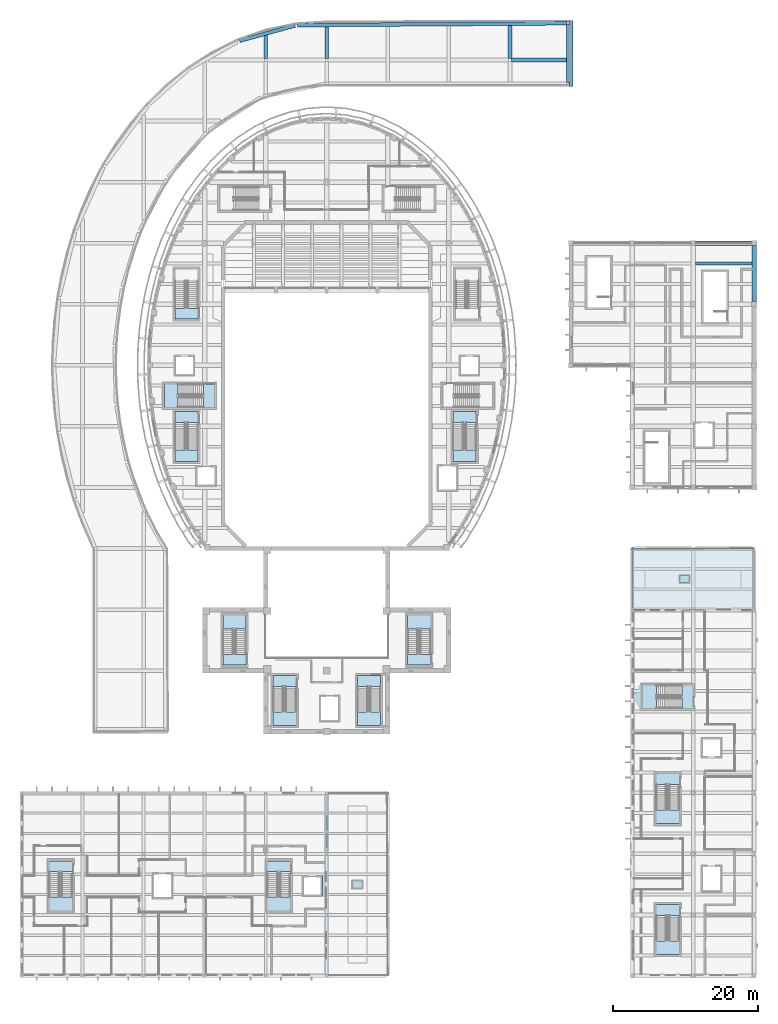
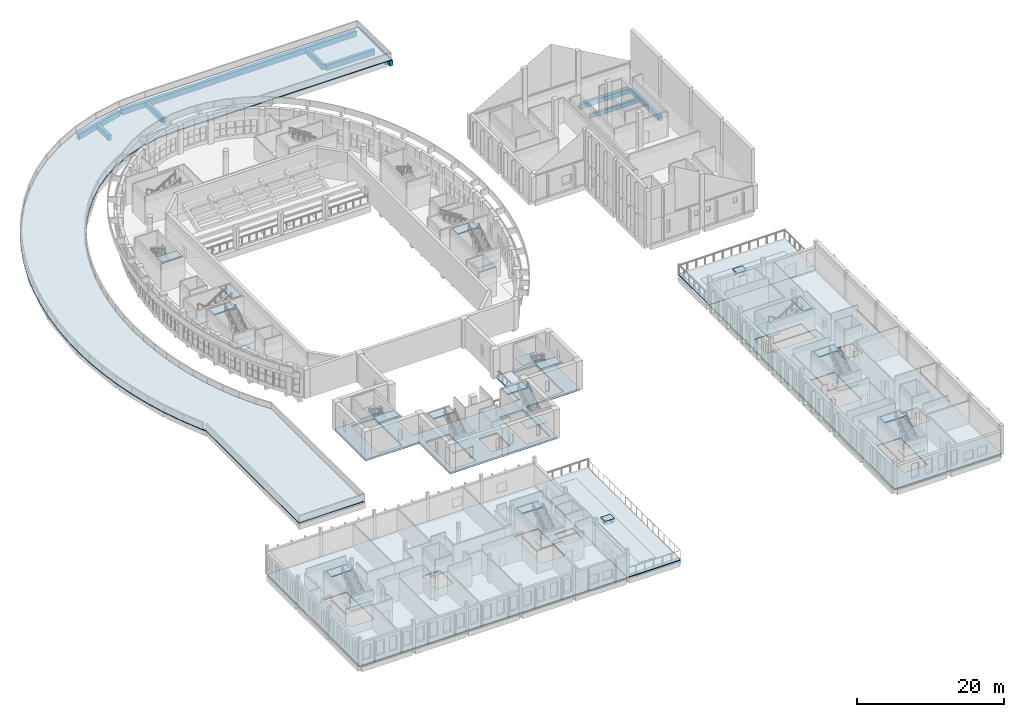
# One storey, part 6 of 79: 31 slabs, 11 beams, 2 plates, 2 openings, 13 elements without a shape of their own.
"""IFC4 building model written with IfcOpenShell, lengths in metres."""

from ifc_helpers import new_model, si_unit, direction, frame, origin, origin_2d, place, context, subcontext, project, spatial, polyline, rectangle, outline, extrude, material, layer, layer_set, material_profile, profile_set, type_object, element, fill, aggregate, save


model = new_model("IFC4")

# Units and contexts
model_context = context("Model", 3, precision=1e-05, world=origin(), true_north=direction((0.0, 1.0)))
body_context = subcontext(model_context, "Body", "Model", "MODEL_VIEW")
ifc_project = project(units=[si_unit("LENGTHUNIT", "METRE"), si_unit("AREAUNIT", "SQUARE_METRE"), si_unit("VOLUMEUNIT", "CUBIC_METRE"), si_unit("PLANEANGLEUNIT", "RADIAN"), si_unit("MASSUNIT", "GRAM", prefix="KILO")], contexts=[model_context])

# Site, building, storey
site_placement = place(None, origin())
site = spatial("IfcSite", under=ifc_project, at=site_placement, CompositionType="ELEMENT")
building_placement = place(site_placement, origin())
building = spatial("IfcBuilding", under=site, at=building_placement, Name="Larchfold Concert Hall", CompositionType="ELEMENT")
storey_placement = place(building_placement, frame((0.0, 0.0, 14.39990234375)))
storey = spatial("IfcBuildingStorey", under=building, at=storey_placement, Name="L03", CompositionType="ELEMENT", Elevation=14.39990234375)

# Beams
ifc_material_1 = material(Name="Concrete C35/45", Category="concrete")
ifc_material_profile_1 = material_profile(ifc_material_1, rectangle(XDim=0.39990234375, YDim=0.699951171875, at=origin_2d()))
ifc_profile_set_1 = profile_set([ifc_material_profile_1], Name="Concrete C35/45")
beam_type_1 = type_object("IfcBeamType", Name="Beam RC 400x700", PredefinedType="BEAM", material=ifc_profile_set_1)
beam_1_placement = place(storey_placement, frame((93.300048828125, 98.60009765625, -0.5498046875), z_axis=(1.0, 0.0, 0.0), x_axis=(0.0, 1.0, 0.0)))
element("IfcBeam", 1, at=beam_1_placement, inside=storey, type_object=beam_type_1, Name="Beam B1071", PredefinedType="BEAM", context=body_context, shape_type="SweptSolid", body=[
    extrude(rectangle(XDim=0.39990234375, YDim=0.699951171875, at=origin_2d()), origin(), (0.0, 0.0, 1.0), 7.800048828125),
])
ifc_material_2 = material(Name="Concrete C35/45", Category="concrete")
ifc_material_profile_2 = material_profile(ifc_material_2, rectangle(XDim=0.5, YDim=0.89990234375, at=origin_2d()))
ifc_profile_set_2 = profile_set([ifc_material_profile_2], Name="Concrete C35/45")
beam_type_2 = type_object("IfcBeamType", Name="Beam RC 500x900", PredefinedType="BEAM", material=ifc_profile_set_2)
beam_2_placement = place(storey_placement, frame((30.616455078125, 129.245849609375, -0.599853515625), z_axis=(0.963990976181, 0.265934950395, 0.0), x_axis=(-0.265934950395, 0.963990976181, 0.0)))
element("IfcBeam", 2, at=beam_2_placement, inside=storey, type_object=beam_type_2, Name="Beam B2017", PredefinedType="BEAM", context=body_context, shape_type="SweptSolid", body=[
    extrude(rectangle(XDim=0.5, YDim=0.89990234375, at=origin_2d()), origin(), (0.0, 0.0, 1.0), 7.885986328125),
])
beam_3_placement = place(storey_placement, frame((38.572021484375, 131.392333984375, -0.599853515625), z_axis=(0.999976126588, 0.006909866425, 0.0), x_axis=(-0.006909866425, 0.999976126588, 0.0)))
element("IfcBeam", 3, at=beam_3_placement, inside=storey, type_object=beam_type_2, Name="Beam B2018", PredefinedType="BEAM", context=body_context, shape_type="SweptSolid", body=[
    extrude(rectangle(XDim=0.5, YDim=0.89990234375, at=origin_2d()), origin(), (0.0, 0.0, 1.0), 37.098876953125),
])
beam_4_placement = place(storey_placement, frame((75.85009765625, 131.469970703125, -0.599853515625), z_axis=(0.0, -1.0, 0.0), x_axis=(1.0, 0.0, 0.0)))
element("IfcBeam", 4, at=beam_4_placement, inside=storey, type_object=beam_type_2, Name="Beam B2019", PredefinedType="BEAM", context=body_context, shape_type="SweptSolid", body=[
    extrude(rectangle(XDim=0.5, YDim=0.89990234375, at=origin_2d()), origin(), (0.0, 0.0, 1.0), 7.93994140625),
])
beam_5_placement = place(storey_placement, frame((34.199951171875, 126.800048828125, -0.599853515625), z_axis=(0.0, 1.0, 0.0), x_axis=(-1.0, 0.0, 0.0)))
element("IfcBeam", 5, at=beam_5_placement, inside=storey, type_object=beam_type_2, Name="Beam B2040", PredefinedType="BEAM", context=body_context, shape_type="SweptSolid", body=[
    extrude(rectangle(XDim=0.5, YDim=0.89990234375, at=origin_2d()), origin(), (0.0, 0.0, 1.0), 3.175048828125),
])
beam_6_placement = place(storey_placement, frame((42.60009765625, 126.800048828125, -0.599853515625), z_axis=(0.0, 1.0, 0.0), x_axis=(-1.0, 0.0, 0.0)))
element("IfcBeam", 6, at=beam_6_placement, inside=storey, type_object=beam_type_2, Name="Beam B2042", PredefinedType="BEAM", context=body_context, shape_type="SweptSolid", body=[
    extrude(rectangle(XDim=0.5, YDim=0.89990234375, at=origin_2d()), origin(), (0.0, 0.0, 1.0), 4.3701171875),
])
beam_7_placement = place(storey_placement, frame((67.800048828125, 126.800048828125, -0.599853515625), z_axis=(0.0, 1.0, 0.0), x_axis=(-1.0, 0.0, 0.0)))
element("IfcBeam", 7, at=beam_7_placement, inside=storey, type_object=beam_type_2, Name="Beam B2046", PredefinedType="BEAM", context=body_context, shape_type="SweptSolid", body=[
    extrude(rectangle(XDim=0.5, YDim=0.89990234375, at=origin_2d()), origin(), (0.0, 0.0, 1.0), 4.544189453125),
])
beam_8_placement = place(storey_placement, frame((76.199951171875, 122.97998046875, -0.599853515625), z_axis=(0.0, 1.0, 0.0), x_axis=(-1.0, 0.0, 0.0)))
element("IfcBeam", 8, at=beam_8_placement, inside=storey, type_object=beam_type_2, Name="Beam B2047", PredefinedType="BEAM", context=body_context, shape_type="SweptSolid", body=[
    extrude(rectangle(XDim=0.5, YDim=0.89990234375, at=origin_2d()), origin(), (0.0, 0.0, 1.0), 9.0400390625),
])
beam_9_placement = place(storey_placement, frame((68.0, 126.60009765625, -0.599853515625), z_axis=(1.0, 0.0, 0.0), x_axis=(0.0, 1.0, 0.0)))
element("IfcBeam", 9, at=beam_9_placement, inside=storey, type_object=beam_type_2, Name="Beam B2066", PredefinedType="BEAM", context=body_context, shape_type="SweptSolid", body=[
    extrude(rectangle(XDim=0.5, YDim=0.89990234375, at=origin_2d()), origin(), (0.0, 0.0, 1.0), 7.60009765625),
])
ifc_material_3 = material(Name="Concrete C35/45", Category="concrete")
ifc_material_profile_3 = material_profile(ifc_material_3, rectangle(XDim=0.60009765625, YDim=0.800048828125, at=origin_2d()))
ifc_profile_set_3 = profile_set([ifc_material_profile_3], Name="Concrete C35/45")
beam_type_3 = type_object("IfcBeamType", Name="Beam RC 600x800", PredefinedType="BEAM", material=ifc_profile_set_3)
for number, where, z_axis, x_axis, name in (
    (10, (101.39990234375, 93.35009765625, -0.599853515625), (0.0, 1.0, 0.0), (-1.0, 0.0, 0.0), "Beam B1033"),
    (11, (93.35009765625, 101.39990234375, -0.599853515625), (1.0, 0.0, 0.0), (0.0, 1.0, 0.0), "Beam B1047"),
):
    element("IfcBeam", number, at=place(storey_placement, frame(where, z_axis=z_axis, x_axis=x_axis)), inside=storey, type_object=beam_type_3, Name=name, PredefinedType="BEAM", context=body_context, shape_type="SweptSolid", body=[
        extrude(rectangle(XDim=0.60009765625, YDim=0.800048828125, at=origin_2d()), origin(), (0.0, 0.0, 1.0), 7.699951171875),
    ])

# Slab, opening, plate
ifc_material_4 = material(Name="Concrete C35/45", Category="concrete")
ifc_layer_1 = layer(ifc_material_4, 0.139892578125)
ifc_layer_set_1 = layer_set([ifc_layer_1], Name="Concrete C35/45")
slab_type_1 = type_object("IfcSlabType", Name="Roof slab 140 planted", PredefinedType="ROOF", material=ifc_layer_set_1)
slab_1_placement = place(storey_placement, frame((0.0, 0.0, -0.14013671875)))
slab_1 = element("IfcSlab", 12, at=slab_1_placement, inside=storey, type_object=slab_type_1, Name="Slab S0001", PredefinedType="ROOF", context=body_context, shape_type="SweptSolid", body=[
    extrude(outline(polyline([(51.0, 25.800048828125), (42.610107421875, 25.800048828125), (42.610107421875, 0.60009765625), (51.0, 0.60009765625), (51.0, 25.800048828125)])), origin(), (0.0, 0.0, 1.0), 0.14013671875),
])
opening_1_placement = place(storey_placement, frame((0.0, 0.0, -0.150146484375)))
opening_1 = element("IfcOpeningElement", 13, at=opening_1_placement, cuts=slab_1, Name="Opening RH03", PredefinedType="OPENING", context=body_context, shape_type="SweptSolid", body=[
    extrude(outline(polyline([(47.41015625, 12.750244140625), (47.41015625, 13.650146484375), (46.2099609375, 13.650146484375), (46.2099609375, 12.750244140625), (47.41015625, 12.750244140625)])), origin(), (0.0, 0.0, 1.0), 0.16015625),
])
ifc_material_5 = material(Name="Insulated steel hatch lid", Category="steel")
ifc_layer_2 = layer(ifc_material_5, 0.06005859375)
ifc_layer_set_2 = layer_set([ifc_layer_2], Name="Insulated steel hatch lid")
plate_type = type_object("IfcPlateType", Name="Roof hatch lid 60", PredefinedType="SHEET", material=ifc_layer_set_2)
plate_1_placement = place(storey_placement, frame((46.81005859375, 13.2001953125, 0.739990234375), z_axis=(0.0, 0.0, 1.0), x_axis=(1.0, 0.0, 0.0)))
plate_1 = element("IfcPlate", 14, at=plate_1_placement, inside=storey, type_object=plate_type, Name="Roof hatch lid RH03", PredefinedType="SHEET", context=body_context, shape_type="SweptSolid", body=[
    extrude(rectangle(XDim=1.5, YDim=1.199951171875, at=origin_2d()), origin(), (0.0, 0.0, 1.0), 0.06005859375),
])
fill(opening_1, plate_1)

slab_2_placement = place(storey_placement, frame((0.0, 0.0, -0.14013671875)))
slab_2 = element("IfcSlab", 15, at=slab_2_placement, inside=storey, type_object=slab_type_1, Name="Slab S0003", PredefinedType="ROOF", context=body_context, shape_type="SweptSolid", body=[
    extrude(outline(polyline([(84.60009765625, 59.39990234375), (84.60009765625, 51.010009765625), (101.39990234375, 51.010009765625), (101.39990234375, 59.39990234375), (84.60009765625, 59.39990234375)])), origin(), (0.0, 0.0, 1.0), 0.14013671875),
])
opening_2_placement = place(storey_placement, frame((0.0, 0.0, -0.150146484375)))
opening_2 = element("IfcOpeningElement", 16, at=opening_2_placement, cuts=slab_2, Name="Opening RH04", PredefinedType="OPENING", context=body_context, shape_type="SweptSolid", body=[
    extrude(outline(polyline([(92.400146484375, 54.760009765625), (92.400146484375, 55.659912109375), (91.199951171875, 55.659912109375), (91.199951171875, 54.760009765625), (92.400146484375, 54.760009765625)])), origin(), (0.0, 0.0, 1.0), 0.16015625),
])
plate_2_placement = place(storey_placement, frame((91.800048828125, 55.2099609375, 0.739990234375), z_axis=(0.0, 0.0, 1.0), x_axis=(1.0, 0.0, 0.0)))
plate_2 = element("IfcPlate", 17, at=plate_2_placement, inside=storey, type_object=plate_type, Name="Roof hatch lid RH04", PredefinedType="SHEET", context=body_context, shape_type="SweptSolid", body=[
    extrude(rectangle(XDim=1.5, YDim=1.199951171875, at=origin_2d()), origin(), (0.0, 0.0, 1.0), 0.06005859375),
])
fill(opening_2, plate_2)

# Slabs
ifc_material_6 = material(Name="Concrete C35/45", Category="concrete")
ifc_layer_3 = layer(ifc_material_6, 0.14990234375)
ifc_layer_set_3 = layer_set([ifc_layer_3], Name="Concrete C35/45")
slab_type_2 = type_object("IfcSlabType", Name="Roof slab 150 winter garden roof", PredefinedType="ROOF", material=ifc_layer_set_3)
slab_3_placement = place(storey_placement, frame((0.0, 0.0, -0.14990234375)))
element("IfcSlab", 18, at=slab_3_placement, inside=storey, type_object=slab_type_2, Name="Slab S0008", PredefinedType="ROOF", context=body_context, shape_type="SweptSolid", body=[
    extrude(outline(polyline([(20.748779296875, 59.39990234375), (19.5185546875, 61.3994140625), (18.2529296875, 63.821044921875), (17.15625, 66.303955078125), (16.22021484375, 68.8369140625), (15.43896484375, 71.40966796875), (14.806884765625, 74.01318359375), (14.319580078125, 76.64013671875), (13.973876953125, 79.2841796875), (13.767333984375, 81.939453125), (13.69873046875, 84.60009765625), (13.767333984375, 87.2607421875), (13.973876953125, 89.916015625), (14.319580078125, 92.56005859375), (14.806884765625, 95.18701171875), (15.43896484375, 97.79052734375), (16.22021484375, 100.36328125), (17.15625, 102.896240234375), (18.2529296875, 105.379150390625), (19.5185546875, 107.80078125), (20.961669921875, 110.145751953125), (22.591552734375, 112.39599609375), (24.41748046875, 114.52783203125), (26.4482421875, 116.513427734375), (28.689697265625, 118.3173828125), (31.140625, 119.8974609375), (33.79150390625, 121.204833984375), (36.61669921875, 122.18896484375), (39.57275390625, 122.802001953125), (42.60009765625, 123.010498046875), (76.199951171875, 123.0), (76.199951171875, 132.0), (42.60009765625, 132.0), (38.343994140625, 131.738525390625), (34.212890625, 130.8818359375), (30.3076171875, 129.521728515625), (26.697509765625, 127.740966796875), (23.41552734375, 125.62548828125), (20.466796875, 123.252197265625), (17.841064453125, 120.6845703125), (15.517822265625, 117.972412109375), (13.47412109375, 115.151123046875), (11.688232421875, 112.2490234375), (10.139892578125, 109.285888671875), (8.810791015625, 106.277587890625), (7.685791015625, 103.23291015625), (6.753173828125, 100.161865234375), (6.002685546875, 97.07080078125), (5.4267578125, 93.96533203125), (5.01904296875, 90.84912109375), (4.7763671875, 87.725830078125), (4.695556640625, 84.60009765625), (4.7763671875, 81.474365234375), (5.01904296875, 78.35107421875), (5.4267578125, 75.23486328125), (6.002685546875, 72.12939453125), (6.753173828125, 69.038330078125), (7.685791015625, 65.96728515625), (8.810791015625, 62.922607421875), (10.139892578125, 59.914306640625), (10.408447265625, 59.39990234375), (10.408447265625, 34.199951171875), (20.748779296875, 34.199951171875), (20.748779296875, 59.39990234375)])), origin(), (0.0, 0.0, 1.0), 0.14990234375),
])
ifc_material_7 = material(Name="Concrete C35/45", Category="concrete")
ifc_layer_4 = layer(ifc_material_7, 0.159912109375)
ifc_layer_set_4 = layer_set([ifc_layer_4], Name="Concrete C35/45")
slab_type_3 = type_object("IfcSlabType", Name="Slab 160", PredefinedType="FLOOR", material=ifc_layer_set_4)
slab_4_placement = place(storey_placement, frame((0.0, 0.0, -0.159912109375)))
element("IfcSlab", 19, at=slab_4_placement, inside=storey, type_object=slab_type_3, Name="Slab S0002", PredefinedType="FLOOR", context=body_context, shape_type="SweptSolid", body=[
    extrude(outline(polyline([(0.60009765625, 25.800048828125), (0.60009765625, 0.60009765625), (42.610107421875, 0.60009765625), (42.610107421875, 25.800048828125), (0.60009765625, 25.800048828125)]), holes=[polyline([(7.85009765625, 9.300048828125), (4.14990234375, 9.300048828125), (4.14990234375, 16.699951171875), (7.85009765625, 16.699951171875), (7.85009765625, 9.300048828125)]), polyline([(21.39990234375, 11.199951171875), (18.60009765625, 11.199951171875), (18.60009765625, 14.800048828125), (21.39990234375, 14.800048828125), (21.39990234375, 11.199951171875)]), polyline([(37.85009765625, 9.300048828125), (34.14990234375, 9.300048828125), (34.14990234375, 16.699951171875), (37.85009765625, 16.699951171875), (37.85009765625, 9.300048828125)]), polyline([(42.0, 11.60009765625), (39.199951171875, 11.60009765625), (39.199951171875, 14.39990234375), (42.0, 14.39990234375), (42.0, 11.60009765625)])]), origin(), (0.0, 0.0, 1.0), 0.159912109375),
])
slab_5_placement = place(storey_placement, frame((0.0, 0.0, -0.159912109375)))
element("IfcSlab", 20, at=slab_5_placement, inside=storey, type_object=slab_type_3, Name="Slab S0004", PredefinedType="FLOOR", context=body_context, shape_type="SweptSolid", body=[
    extrude(outline(polyline([(84.60009765625, 51.010009765625), (84.60009765625, 0.60009765625), (101.39990234375, 0.60009765625), (101.39990234375, 51.010009765625), (84.60009765625, 51.010009765625)]), holes=[polyline([(91.35009765625, 3.300048828125), (87.64990234375, 3.300048828125), (87.64990234375, 10.699951171875), (91.35009765625, 10.699951171875), (91.35009765625, 3.300048828125)]), polyline([(96.89990234375, 12.199951171875), (94.10009765625, 12.199951171875), (94.10009765625, 15.800048828125), (96.89990234375, 15.800048828125), (96.89990234375, 12.199951171875)]), polyline([(91.35009765625, 21.300048828125), (87.64990234375, 21.300048828125), (87.64990234375, 28.699951171875), (91.35009765625, 28.699951171875), (91.35009765625, 21.300048828125)]), polyline([(94.10009765625, 30.60009765625), (94.10009765625, 33.39990234375), (96.89990234375, 33.39990234375), (96.89990234375, 30.60009765625), (94.10009765625, 30.60009765625)]), polyline([(85.800048828125, 37.14990234375), (85.800048828125, 40.85009765625), (93.199951171875, 40.85009765625), (93.199951171875, 37.14990234375), (85.800048828125, 37.14990234375)])]), origin(), (0.0, 0.0, 1.0), 0.159912109375),
])
ifc_material_8 = material(Name="Concrete C35/45", Category="concrete")
ifc_layer_5 = layer(ifc_material_8, 0.280029296875)
ifc_layer_set_5 = layer_set([ifc_layer_5], Name="Concrete C35/45")
slab_type_4 = type_object("IfcSlabType", Name="Slab 280 flat plate", PredefinedType="FLOOR", material=ifc_layer_set_5)
slab_6_placement = place(storey_placement, frame((0.0, 0.0, -0.280029296875)))
element("IfcSlab", 21, at=slab_6_placement, inside=storey, type_object=slab_type_4, Name="Slab S0006", PredefinedType="FLOOR", context=body_context, shape_type="SweptSolid", body=[
    extrude(outline(polyline([(59.39990234375, 51.0), (51.0, 51.0), (51.0, 44.39990234375), (34.199951171875, 44.39990234375), (34.199951171875, 59.39990234375), (34.199951171875, 51.0), (25.800048828125, 51.0), (25.800048828125, 42.60009765625), (34.199951171875, 42.60009765625), (34.199951171875, 34.199951171875), (51.0, 34.199951171875), (51.0, 42.60009765625), (59.39990234375, 42.60009765625), (59.39990234375, 51.0)]), holes=[polyline([(41.60009765625, 35.60009765625), (41.60009765625, 39.199951171875), (44.39990234375, 39.199951171875), (44.39990234375, 35.60009765625), (41.60009765625, 35.60009765625)]), polyline([(34.949951171875, 42.199951171875), (38.64990234375, 42.199951171875), (38.64990234375, 34.800048828125), (34.949951171875, 34.800048828125), (34.949951171875, 42.199951171875)]), polyline([(46.550048828125, 42.199951171875), (50.25, 42.199951171875), (50.25, 34.800048828125), (46.550048828125, 34.800048828125), (46.550048828125, 42.199951171875)]), polyline([(28.050048828125, 50.5), (31.75, 50.5), (31.75, 43.10009765625), (28.050048828125, 43.10009765625), (28.050048828125, 50.5)]), polyline([(53.449951171875, 50.5), (57.14990234375, 50.5), (57.14990234375, 43.10009765625), (53.449951171875, 43.10009765625), (53.449951171875, 50.5)])]), origin(), (0.0, 0.0, 1.0), 0.280029296875),
])

# Stair, slab
ifc_material_9 = material(Name="Concrete C35/45", Category="concrete")
stair_type = type_object("IfcStairType", Name="Stair RC half-turn enclosed", PredefinedType="HALF_TURN_STAIR", material=ifc_material_9)
stair_1_placement = place(storey_placement, origin())
stair_1 = element("IfcStair", 22, at=stair_1_placement, inside=storey, type_object=stair_type, Name="Stair DS4", PredefinedType="HALF_TURN_STAIR")
ifc_material_10 = material(Name="Concrete C35/45", Category="concrete")
ifc_layer_6 = layer(ifc_material_10, 0.199951171875)
ifc_layer_set_6 = layer_set([ifc_layer_6], Name="Concrete C35/45")
slab_type_5 = type_object("IfcSlabType", Name="Stair landing RC 200", PredefinedType="LANDING", material=ifc_layer_set_6)
slab_7_placement = place(storey_placement, frame((0.0, 0.0, 4.60009765625)))
slab_7 = element("IfcSlab", 23, at=slab_7_placement, type_object=slab_type_5, Name="ST04 landing 2", PredefinedType="LANDING", context=body_context, shape_type="SweptSolid", body=[
    extrude(outline(polyline([(24.89990234375, 90.949951171875), (24.89990234375, 92.449951171875), (21.699951171875, 92.449951171875), (21.699951171875, 90.949951171875), (24.89990234375, 90.949951171875)])), origin(), (0.0, 0.0, 1.0), 0.199951171875),
])
aggregate(stair_1, [slab_7])

# Stair, slabs
stair_2_placement = place(storey_placement, origin())
stair_2 = element("IfcStair", 24, at=stair_2_placement, inside=storey, type_object=stair_type, Name="Stair DS5", PredefinedType="HALF_TURN_STAIR")
slab_8_placement = place(storey_placement, frame((0.0, 0.0, 2.2001953125)))
slab_8 = element("IfcSlab", 25, at=slab_8_placement, type_object=slab_type_5, Name="ST05 landing 1", PredefinedType="LANDING", context=body_context, shape_type="SweptSolid", body=[
    extrude(outline(polyline([(21.699951171875, 72.969970703125), (21.699951171875, 71.35009765625), (24.89990234375, 71.35009765625), (24.89990234375, 72.969970703125), (21.699951171875, 72.969970703125)])), origin(), (0.0, 0.0, 1.0), 0.199951171875),
])
slab_9_placement = place(storey_placement, frame((0.0, 0.0, 4.60009765625)))
slab_9 = element("IfcSlab", 26, at=slab_9_placement, type_object=slab_type_5, Name="ST05 landing 2", PredefinedType="LANDING", context=body_context, shape_type="SweptSolid", body=[
    extrude(outline(polyline([(21.699951171875, 78.25), (21.699951171875, 76.75), (24.89990234375, 76.75), (24.89990234375, 78.25), (21.699951171875, 78.25)])), origin(), (0.0, 0.0, 1.0), 0.199951171875),
])
aggregate(stair_2, [slab_8, slab_9])

stair_3_placement = place(storey_placement, origin())
stair_3 = element("IfcStair", 27, at=stair_3_placement, inside=storey, type_object=stair_type, Name="Stair DS6", PredefinedType="HALF_TURN_STAIR")
slab_10_placement = place(storey_placement, frame((0.0, 0.0, 2.2001953125)))
slab_10 = element("IfcSlab", 28, at=slab_10_placement, type_object=slab_type_5, Name="ST06 landing 1", PredefinedType="LANDING", context=body_context, shape_type="SweptSolid", body=[
    extrude(outline(polyline([(59.949951171875, 72.969970703125), (59.949951171875, 71.35009765625), (63.14990234375, 71.35009765625), (63.14990234375, 72.969970703125), (59.949951171875, 72.969970703125)])), origin(), (0.0, 0.0, 1.0), 0.199951171875),
])
slab_11_placement = place(storey_placement, frame((0.0, 0.0, 4.60009765625)))
slab_11 = element("IfcSlab", 29, at=slab_11_placement, type_object=slab_type_5, Name="ST06 landing 2", PredefinedType="LANDING", context=body_context, shape_type="SweptSolid", body=[
    extrude(outline(polyline([(59.949951171875, 78.25), (59.949951171875, 76.75), (63.14990234375, 76.75), (63.14990234375, 78.25), (59.949951171875, 78.25)])), origin(), (0.0, 0.0, 1.0), 0.199951171875),
])
aggregate(stair_3, [slab_10, slab_11])

stair_4_placement = place(storey_placement, origin())
stair_4 = element("IfcStair", 30, at=stair_4_placement, inside=storey, type_object=stair_type, Name="Stair DS7", PredefinedType="HALF_TURN_STAIR")
slab_12_placement = place(storey_placement, frame((0.0, 0.0, 2.2001953125)))
slab_12 = element("IfcSlab", 31, at=slab_12_placement, type_object=slab_type_5, Name="ST07 landing 1", PredefinedType="LANDING", context=body_context, shape_type="SweptSolid", body=[
    extrude(outline(polyline([(22.139892578125, 82.0), (20.25, 82.0), (20.25, 78.800048828125), (22.139892578125, 78.800048828125), (22.139892578125, 82.0)])), origin(), (0.0, 0.0, 1.0), 0.199951171875),
])
slab_13_placement = place(storey_placement, frame((0.0, 0.0, 4.60009765625)))
slab_13 = element("IfcSlab", 32, at=slab_13_placement, type_object=slab_type_5, Name="ST07 landing 2", PredefinedType="LANDING", context=body_context, shape_type="SweptSolid", body=[
    extrude(outline(polyline([(27.14990234375, 82.0), (25.64990234375, 82.0), (25.64990234375, 78.800048828125), (27.14990234375, 78.800048828125), (27.14990234375, 82.0)])), origin(), (0.0, 0.0, 1.0), 0.199951171875),
])
aggregate(stair_4, [slab_12, slab_13])

stair_5_placement = place(storey_placement, origin())
stair_5 = element("IfcStair", 33, at=stair_5_placement, inside=storey, type_object=stair_type, Name="Stair SH1", PredefinedType="HALF_TURN_STAIR")
slab_14_placement = place(storey_placement, frame((0.0, 0.0, 2.2001953125)))
slab_14 = element("IfcSlab", 34, at=slab_14_placement, type_object=slab_type_5, Name="ST09 landing 1", PredefinedType="LANDING", context=body_context, shape_type="SweptSolid", body=[
    extrude(outline(polyline([(31.5, 48.360107421875), (31.5, 50.25), (28.300048828125, 50.25), (28.300048828125, 48.360107421875), (31.5, 48.360107421875)])), origin(), (0.0, 0.0, 1.0), 0.199951171875),
])
slab_15_placement = place(storey_placement, frame((0.0, 0.0, 4.60009765625)))
slab_15 = element("IfcSlab", 35, at=slab_15_placement, type_object=slab_type_5, Name="ST09 landing 2", PredefinedType="LANDING", context=body_context, shape_type="SweptSolid", body=[
    extrude(outline(polyline([(31.5, 43.35009765625), (31.5, 44.85009765625), (28.300048828125, 44.85009765625), (28.300048828125, 43.35009765625), (31.5, 43.35009765625)])), origin(), (0.0, 0.0, 1.0), 0.199951171875),
])
aggregate(stair_5, [slab_14, slab_15])

stair_6_placement = place(storey_placement, origin())
stair_6 = element("IfcStair", 36, at=stair_6_placement, inside=storey, type_object=stair_type, Name="Stair SH2", PredefinedType="HALF_TURN_STAIR")
slab_16_placement = place(storey_placement, frame((0.0, 0.0, 2.2001953125)))
slab_16 = element("IfcSlab", 37, at=slab_16_placement, type_object=slab_type_5, Name="ST10 landing 1", PredefinedType="LANDING", context=body_context, shape_type="SweptSolid", body=[
    extrude(outline(polyline([(56.89990234375, 48.360107421875), (56.89990234375, 50.25), (53.699951171875, 50.25), (53.699951171875, 48.360107421875), (56.89990234375, 48.360107421875)])), origin(), (0.0, 0.0, 1.0), 0.199951171875),
])
slab_17_placement = place(storey_placement, frame((0.0, 0.0, 4.60009765625)))
slab_17 = element("IfcSlab", 38, at=slab_17_placement, type_object=slab_type_5, Name="ST10 landing 2", PredefinedType="LANDING", context=body_context, shape_type="SweptSolid", body=[
    extrude(outline(polyline([(56.89990234375, 43.35009765625), (56.89990234375, 44.85009765625), (53.699951171875, 44.85009765625), (53.699951171875, 43.35009765625), (56.89990234375, 43.35009765625)])), origin(), (0.0, 0.0, 1.0), 0.199951171875),
])
aggregate(stair_6, [slab_16, slab_17])

stair_7_placement = place(storey_placement, origin())
stair_7 = element("IfcStair", 39, at=stair_7_placement, inside=storey, type_object=stair_type, Name="Stair SH3", PredefinedType="HALF_TURN_STAIR")
slab_18_placement = place(storey_placement, frame((0.0, 0.0, 2.2001953125)))
slab_18 = element("IfcSlab", 40, at=slab_18_placement, type_object=slab_type_5, Name="ST11 landing 1", PredefinedType="LANDING", context=body_context, shape_type="SweptSolid", body=[
    extrude(outline(polyline([(35.199951171875, 36.93994140625), (35.199951171875, 35.050048828125), (38.39990234375, 35.050048828125), (38.39990234375, 36.93994140625), (35.199951171875, 36.93994140625)])), origin(), (0.0, 0.0, 1.0), 0.199951171875),
])
slab_19_placement = place(storey_placement, frame((0.0, 0.0, 4.60009765625)))
slab_19 = element("IfcSlab", 41, at=slab_19_placement, type_object=slab_type_5, Name="ST11 landing 2", PredefinedType="LANDING", context=body_context, shape_type="SweptSolid", body=[
    extrude(outline(polyline([(35.199951171875, 41.949951171875), (35.199951171875, 40.449951171875), (38.39990234375, 40.449951171875), (38.39990234375, 41.949951171875), (35.199951171875, 41.949951171875)])), origin(), (0.0, 0.0, 1.0), 0.199951171875),
])
aggregate(stair_7, [slab_18, slab_19])

stair_8_placement = place(storey_placement, origin())
stair_8 = element("IfcStair", 42, at=stair_8_placement, inside=storey, type_object=stair_type, Name="Stair SH4", PredefinedType="HALF_TURN_STAIR")
slab_20_placement = place(storey_placement, frame((0.0, 0.0, 2.2001953125)))
slab_20 = element("IfcSlab", 43, at=slab_20_placement, type_object=slab_type_5, Name="ST12 landing 1", PredefinedType="LANDING", context=body_context, shape_type="SweptSolid", body=[
    extrude(outline(polyline([(46.800048828125, 36.93994140625), (46.800048828125, 35.050048828125), (50.0, 35.050048828125), (50.0, 36.93994140625), (46.800048828125, 36.93994140625)])), origin(), (0.0, 0.0, 1.0), 0.199951171875),
])
slab_21_placement = place(storey_placement, frame((0.0, 0.0, 4.60009765625)))
slab_21 = element("IfcSlab", 44, at=slab_21_placement, type_object=slab_type_5, Name="ST12 landing 2", PredefinedType="LANDING", context=body_context, shape_type="SweptSolid", body=[
    extrude(outline(polyline([(46.800048828125, 41.949951171875), (46.800048828125, 40.449951171875), (50.0, 40.449951171875), (50.0, 41.949951171875), (46.800048828125, 41.949951171875)])), origin(), (0.0, 0.0, 1.0), 0.199951171875),
])
aggregate(stair_8, [slab_20, slab_21])

stair_9_placement = place(storey_placement, origin())
stair_9 = element("IfcStair", 45, at=stair_9_placement, inside=storey, type_object=stair_type, Name="Stair AW1", PredefinedType="HALF_TURN_STAIR")
slab_22_placement = place(storey_placement, frame((0.0, 0.0, 2.2001953125)))
slab_22 = element("IfcSlab", 46, at=slab_22_placement, type_object=slab_type_5, Name="ST13 landing 1", PredefinedType="LANDING", context=body_context, shape_type="SweptSolid", body=[
    extrude(outline(polyline([(87.89990234375, 5.43994140625), (87.89990234375, 3.550048828125), (91.099853515625, 3.550048828125), (91.099853515625, 5.43994140625), (87.89990234375, 5.43994140625)])), origin(), (0.0, 0.0, 1.0), 0.199951171875),
])
slab_23_placement = place(storey_placement, frame((0.0, 0.0, 4.60009765625)))
slab_23 = element("IfcSlab", 47, at=slab_23_placement, type_object=slab_type_5, Name="ST13 landing 2", PredefinedType="LANDING", context=body_context, shape_type="SweptSolid", body=[
    extrude(outline(polyline([(87.89990234375, 10.449951171875), (87.89990234375, 8.949951171875), (91.10009765625, 8.949951171875), (91.10009765625, 10.449951171875), (87.89990234375, 10.449951171875)])), origin(), (0.0, 0.0, 1.0), 0.199951171875),
])
aggregate(stair_9, [slab_22, slab_23])

stair_10_placement = place(storey_placement, origin())
stair_10 = element("IfcStair", 48, at=stair_10_placement, inside=storey, type_object=stair_type, Name="Stair AW2", PredefinedType="HALF_TURN_STAIR")
slab_24_placement = place(storey_placement, frame((0.0, 0.0, 2.2001953125)))
slab_24 = element("IfcSlab", 49, at=slab_24_placement, type_object=slab_type_5, Name="ST14 landing 1", PredefinedType="LANDING", context=body_context, shape_type="SweptSolid", body=[
    extrude(outline(polyline([(87.89990234375, 23.43994140625), (87.89990234375, 21.550048828125), (91.099853515625, 21.550048828125), (91.099853515625, 23.43994140625), (87.89990234375, 23.43994140625)])), origin(), (0.0, 0.0, 1.0), 0.199951171875),
])
slab_25_placement = place(storey_placement, frame((0.0, 0.0, 4.60009765625)))
slab_25 = element("IfcSlab", 50, at=slab_25_placement, type_object=slab_type_5, Name="ST14 landing 2", PredefinedType="LANDING", context=body_context, shape_type="SweptSolid", body=[
    extrude(outline(polyline([(87.89990234375, 28.449951171875), (87.89990234375, 26.949951171875), (91.10009765625, 26.949951171875), (91.10009765625, 28.449951171875), (87.89990234375, 28.449951171875)])), origin(), (0.0, 0.0, 1.0), 0.199951171875),
])
aggregate(stair_10, [slab_24, slab_25])

stair_11_placement = place(storey_placement, origin())
stair_11 = element("IfcStair", 51, at=stair_11_placement, inside=storey, type_object=stair_type, Name="Stair AW3", PredefinedType="HALF_TURN_STAIR")
slab_26_placement = place(storey_placement, frame((0.0, 0.0, 2.2001953125)))
slab_26 = element("IfcSlab", 52, at=slab_26_placement, type_object=slab_type_5, Name="ST15 landing 1", PredefinedType="LANDING", context=body_context, shape_type="SweptSolid", body=[
    extrude(outline(polyline([(87.93994140625, 40.60009765625), (86.050048828125, 40.60009765625), (86.050048828125, 37.400146484375), (87.93994140625, 37.400146484375), (87.93994140625, 40.60009765625)])), origin(), (0.0, 0.0, 1.0), 0.199951171875),
])
slab_27_placement = place(storey_placement, frame((0.0, 0.0, 4.60009765625)))
slab_27 = element("IfcSlab", 53, at=slab_27_placement, type_object=slab_type_5, Name="ST15 landing 2", PredefinedType="LANDING", context=body_context, shape_type="SweptSolid", body=[
    extrude(outline(polyline([(92.949951171875, 40.60009765625), (91.449951171875, 40.60009765625), (91.449951171875, 37.39990234375), (92.949951171875, 37.39990234375), (92.949951171875, 40.60009765625)])), origin(), (0.0, 0.0, 1.0), 0.199951171875),
])
aggregate(stair_11, [slab_26, slab_27])

stair_12_placement = place(storey_placement, origin())
stair_12 = element("IfcStair", 54, at=stair_12_placement, inside=storey, type_object=stair_type, Name="Stair SW1", PredefinedType="HALF_TURN_STAIR")
slab_28_placement = place(storey_placement, frame((0.0, 0.0, 2.2001953125)))
slab_28 = element("IfcSlab", 55, at=slab_28_placement, type_object=slab_type_5, Name="ST21 landing 1", PredefinedType="LANDING", context=body_context, shape_type="SweptSolid", body=[
    extrude(outline(polyline([(4.39990234375, 11.43994140625), (4.39990234375, 9.550048828125), (7.599853515625, 9.550048828125), (7.599853515625, 11.43994140625), (4.39990234375, 11.43994140625)])), origin(), (0.0, 0.0, 1.0), 0.199951171875),
])
slab_29_placement = place(storey_placement, frame((0.0, 0.0, 4.60009765625)))
slab_29 = element("IfcSlab", 56, at=slab_29_placement, type_object=slab_type_5, Name="ST21 landing 2", PredefinedType="LANDING", context=body_context, shape_type="SweptSolid", body=[
    extrude(outline(polyline([(4.39990234375, 16.449951171875), (4.39990234375, 14.949951171875), (7.60009765625, 14.949951171875), (7.60009765625, 16.449951171875), (4.39990234375, 16.449951171875)])), origin(), (0.0, 0.0, 1.0), 0.199951171875),
])
aggregate(stair_12, [slab_28, slab_29])

stair_13_placement = place(storey_placement, origin())
stair_13 = element("IfcStair", 57, at=stair_13_placement, inside=storey, type_object=stair_type, Name="Stair SW2", PredefinedType="HALF_TURN_STAIR")
slab_30_placement = place(storey_placement, frame((0.0, 0.0, 2.2001953125)))
slab_30 = element("IfcSlab", 58, at=slab_30_placement, type_object=slab_type_5, Name="ST22 landing 1", PredefinedType="LANDING", context=body_context, shape_type="SweptSolid", body=[
    extrude(outline(polyline([(34.39990234375, 11.43994140625), (34.39990234375, 9.550048828125), (37.599853515625, 9.550048828125), (37.599853515625, 11.43994140625), (34.39990234375, 11.43994140625)])), origin(), (0.0, 0.0, 1.0), 0.199951171875),
])
slab_31_placement = place(storey_placement, frame((0.0, 0.0, 4.60009765625)))
slab_31 = element("IfcSlab", 59, at=slab_31_placement, type_object=slab_type_5, Name="ST22 landing 2", PredefinedType="LANDING", context=body_context, shape_type="SweptSolid", body=[
    extrude(outline(polyline([(34.39990234375, 16.449951171875), (34.39990234375, 14.949951171875), (37.60009765625, 14.949951171875), (37.60009765625, 16.449951171875), (34.39990234375, 16.449951171875)])), origin(), (0.0, 0.0, 1.0), 0.199951171875),
])
aggregate(stair_13, [slab_30, slab_31])

save(model, "model.ifc")
